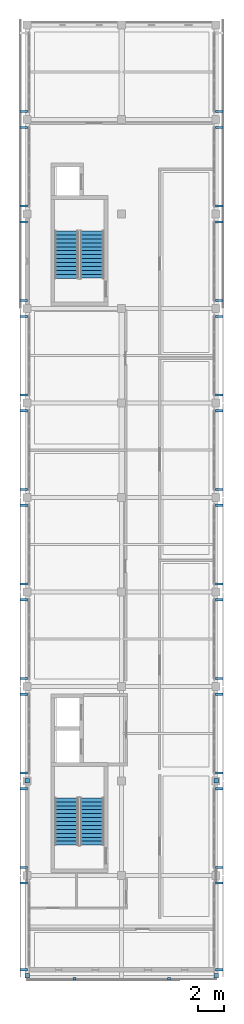
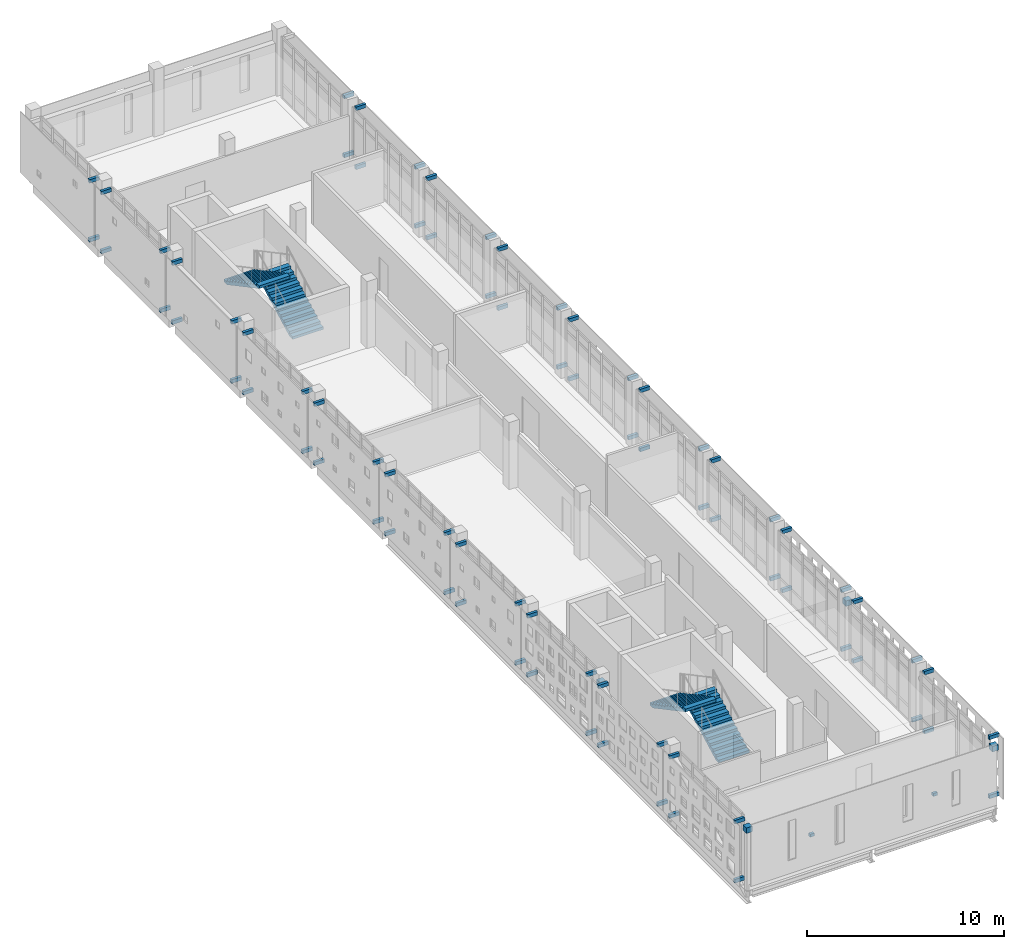
# One storey, part 17 of 21: 82 discrete accessories, 4 stair flights, 2 elements without a shape of their own.
"""IFC4 building model written with IfcOpenShell, lengths in metres."""

from ifc_helpers import new_model, si_unit, direction, frame, origin, origin_2d, place, context, subcontext, project, spatial, polyline, rectangle, outline, extrude, material, type_object, element, aggregate, save


model = new_model("IFC4")

# Units and contexts
model_context = context("Model", 3, precision=1e-05, world=origin(), true_north=direction((0.0, 1.0)))
body_context = subcontext(model_context, "Body", "Model", "MODEL_VIEW")
ifc_project = project(units=[si_unit("LENGTHUNIT", "METRE"), si_unit("AREAUNIT", "SQUARE_METRE"), si_unit("VOLUMEUNIT", "CUBIC_METRE"), si_unit("PLANEANGLEUNIT", "RADIAN"), si_unit("MASSUNIT", "GRAM", prefix="KILO")], contexts=[model_context])

# Site, building, storey
site_placement = place(None, origin())
site = spatial("IfcSite", under=ifc_project, at=site_placement, CompositionType="ELEMENT")
building_placement = place(site_placement, origin())
building = spatial("IfcBuilding", under=site, at=building_placement, Name="Valkovuoma Quantum and Materials Research Institute", CompositionType="ELEMENT")
storey_placement = place(building_placement, frame((0.0, 0.0, 33.919921875)))
storey = spatial("IfcBuildingStorey", under=building, at=storey_placement, Name="L08", CompositionType="ELEMENT", Elevation=33.919921875)

# Stair, stair flights
ifc_material_1 = material(Name="Concrete C40/50", Category="concrete")
stair_type = type_object("IfcStairType", Name="Stair-ST-COR", PredefinedType="HALF_TURN_STAIR", material=ifc_material_1)
stair_1_placement = place(storey_placement, origin())
stair_1 = element("IfcStair", 1, at=stair_1_placement, inside=storey, type_object=stair_type, Name="L08 Exit Stair ST-1", PredefinedType="HALF_TURN_STAIR")
ifc_material_2 = material(Name="Concrete C40/50", Category="concrete")
stair_flight_type = type_object("IfcStairFlightType", Name="Flight-STF-145", PredefinedType="STRAIGHT", material=ifc_material_2)
stair_flight_1_placement = place(storey_placement, frame((4.949951171875, 31.10009765625, 0.0), z_axis=(0.0, 0.0, 1.0), x_axis=(0.0, 1.0, 0.0)))
stair_flight_1 = element("IfcStairFlight", 2, at=stair_flight_1_placement, type_object=stair_flight_type, Name="ST-1 flight 1", NumberOfRisers=13, NumberOfTreads=12, PredefinedType="STRAIGHT", RiserHeight=0.16, TreadLength=0.3, context=body_context, shape_type="SweptSolid", body=[
    extrude(outline(polyline([(0.0, 0.0), (0.0, 0.159912109375), (0.300048828125, 0.159912109375), (0.300048828125, 0.320068359375), (0.60009765625, 0.320068359375), (0.60009765625, 0.47998046875), (0.89990234375, 0.47998046875), (0.89990234375, 0.639892578125), (1.199951171875, 0.639892578125), (1.199951171875, 0.800048828125), (1.5, 0.800048828125), (1.5, 0.9599609375), (1.800048828125, 0.9599609375), (1.800048828125, 1.1201171875), (2.10009765625, 1.1201171875), (2.10009765625, 1.280029296875), (2.39990234375, 1.280029296875), (2.39990234375, 1.43994140625), (2.699951171875, 1.43994140625), (2.699951171875, 1.60009765625), (3.0, 1.60009765625), (3.0, 1.760009765625), (3.300048828125, 1.760009765625), (3.300048828125, 1.919921875), (3.60009765625, 1.919921875), (3.60009765625, 2.080078125), (3.60009765625, 1.75), (0.318603515625, 0.0), (0.0, 0.0)])), frame((0.0, 0.89990234375, 0.0), z_axis=(0.0, -1.0, 0.0), x_axis=(1.0, 0.0, 0.0)), (0.0, 0.0, 1.0), 1.800048828125),
])
stair_flight_2_placement = place(storey_placement, frame((3.0, 34.699951171875, 2.080078125), z_axis=(0.0, 0.0, 1.0), x_axis=(0.0, -1.0, 0.0)))
stair_flight_2 = element("IfcStairFlight", 3, at=stair_flight_2_placement, type_object=stair_flight_type, Name="ST-1 flight 2", NumberOfRisers=13, NumberOfTreads=12, PredefinedType="STRAIGHT", RiserHeight=0.16, TreadLength=0.3, context=body_context, shape_type="SweptSolid", body=[
    extrude(outline(polyline([(0.0, 0.0), (0.0, 0.159912109375), (0.300048828125, 0.159912109375), (0.300048828125, 0.320068359375), (0.60009765625, 0.320068359375), (0.60009765625, 0.47998046875), (0.89990234375, 0.47998046875), (0.89990234375, 0.639892578125), (1.199951171875, 0.639892578125), (1.199951171875, 0.800048828125), (1.5, 0.800048828125), (1.5, 0.9599609375), (1.800048828125, 0.9599609375), (1.800048828125, 1.1201171875), (2.10009765625, 1.1201171875), (2.10009765625, 1.280029296875), (2.39990234375, 1.280029296875), (2.39990234375, 1.43994140625), (2.699951171875, 1.43994140625), (2.699951171875, 1.60009765625), (3.0, 1.60009765625), (3.0, 1.760009765625), (3.300048828125, 1.760009765625), (3.300048828125, 1.919921875), (3.60009765625, 1.919921875), (3.60009765625, 2.080078125), (3.60009765625, 1.75), (0.318603515625, 0.0), (0.0, 0.0)])), frame((0.0, 0.89990234375, 0.0), z_axis=(0.0, -1.0, 0.0), x_axis=(1.0, 0.0, 0.0)), (0.0, 0.0, 1.0), 1.800048828125),
])
aggregate(stair_1, [stair_flight_1, stair_flight_2])

stair_2_placement = place(storey_placement, origin())
stair_2 = element("IfcStair", 4, at=stair_2_placement, inside=storey, type_object=stair_type, Name="L08 Exit Stair ST-2", PredefinedType="HALF_TURN_STAIR")
stair_flight_3_placement = place(storey_placement, frame((4.949951171875, 74.300048828125, 0.0), z_axis=(0.0, 0.0, 1.0), x_axis=(0.0, 1.0, 0.0)))
stair_flight_3 = element("IfcStairFlight", 5, at=stair_flight_3_placement, type_object=stair_flight_type, Name="ST-2 flight 1", NumberOfRisers=13, NumberOfTreads=12, PredefinedType="STRAIGHT", RiserHeight=0.16, TreadLength=0.3, context=body_context, shape_type="SweptSolid", body=[
    extrude(outline(polyline([(0.0, 0.0), (0.0, 0.159912109375), (0.300048828125, 0.159912109375), (0.300048828125, 0.320068359375), (0.60009765625, 0.320068359375), (0.60009765625, 0.47998046875), (0.89990234375, 0.47998046875), (0.89990234375, 0.639892578125), (1.199951171875, 0.639892578125), (1.199951171875, 0.800048828125), (1.5, 0.800048828125), (1.5, 0.9599609375), (1.800048828125, 0.9599609375), (1.800048828125, 1.1201171875), (2.10009765625, 1.1201171875), (2.10009765625, 1.280029296875), (2.39990234375, 1.280029296875), (2.39990234375, 1.43994140625), (2.699951171875, 1.43994140625), (2.699951171875, 1.60009765625), (3.0, 1.60009765625), (3.0, 1.760009765625), (3.300048828125, 1.760009765625), (3.300048828125, 1.919921875), (3.60009765625, 1.919921875), (3.60009765625, 2.080078125), (3.60009765625, 1.75), (0.318603515625, 0.0), (0.0, 0.0)])), frame((0.0, 0.89990234375, 0.0), z_axis=(0.0, -1.0, 0.0), x_axis=(1.0, 0.0, 0.0)), (0.0, 0.0, 1.0), 1.800048828125),
])
stair_flight_4_placement = place(storey_placement, frame((3.0, 77.89990234375, 2.080078125), z_axis=(0.0, 0.0, 1.0), x_axis=(0.0, -1.0, 0.0)))
stair_flight_4 = element("IfcStairFlight", 6, at=stair_flight_4_placement, type_object=stair_flight_type, Name="ST-2 flight 2", NumberOfRisers=13, NumberOfTreads=12, PredefinedType="STRAIGHT", RiserHeight=0.16, TreadLength=0.3, context=body_context, shape_type="SweptSolid", body=[
    extrude(outline(polyline([(0.0, 0.0), (0.0, 0.159912109375), (0.300048828125, 0.159912109375), (0.300048828125, 0.320068359375), (0.60009765625, 0.320068359375), (0.60009765625, 0.47998046875), (0.89990234375, 0.47998046875), (0.89990234375, 0.639892578125), (1.199951171875, 0.639892578125), (1.199951171875, 0.800048828125), (1.5, 0.800048828125), (1.5, 0.9599609375), (1.800048828125, 0.9599609375), (1.800048828125, 1.1201171875), (2.10009765625, 1.1201171875), (2.10009765625, 1.280029296875), (2.39990234375, 1.280029296875), (2.39990234375, 1.43994140625), (2.699951171875, 1.43994140625), (2.699951171875, 1.60009765625), (3.0, 1.60009765625), (3.0, 1.760009765625), (3.300048828125, 1.760009765625), (3.300048828125, 1.919921875), (3.60009765625, 1.919921875), (3.60009765625, 2.080078125), (3.60009765625, 1.75), (0.318603515625, 0.0), (0.0, 0.0)])), frame((0.0, 0.89990234375, 0.0), z_axis=(0.0, -1.0, 0.0), x_axis=(1.0, 0.0, 0.0)), (0.0, 0.0, 1.0), 1.800048828125),
])
aggregate(stair_2, [stair_flight_3, stair_flight_4])

# Discrete accessories
ifc_material_3 = material(Name="Steel S355J2", Category="steel")
discrete_accessory_type_1 = type_object("IfcDiscreteAccessoryType", Name="Brk-BRK-01", PredefinedType="BRACKET", material=ifc_material_3)
for number, where, z_axis, x_axis, name in (
    (7, (3.60009765625, 20.919921875, 1.81494140625), (0.0, 0.0, 1.0), (0.0, 1.0, 0.0), "L08 south end skin bracket 1"),
    (8, (10.800048828125, 20.919921875, 1.81494140625), (0.0, 0.0, 1.0), (0.0, 1.0, 0.0), "L08 south end skin bracket 2"),
):
    element("IfcDiscreteAccessory", number, at=place(storey_placement, frame(where, z_axis=z_axis, x_axis=x_axis)), inside=storey, type_object=discrete_accessory_type_1, Name=name, PredefinedType="BRACKET", context=body_context, shape_type="SweptSolid", body=[
        extrude(rectangle(XDim=0.159912109375, YDim=0.239990234375, at=origin_2d()), origin(), (0.0, 0.0, 1.0), 0.179931640625),
    ])
for number, where, z_axis, x_axis, name in (
    (9, (-0.25, 21.60009765625, -0.02978515625), (0.0, 0.0, 1.0), (1.0, 0.0, 0.0), "L08 screen bracket 00461"),
    (10, (-0.25, 28.199951171875, -0.02978515625), (0.0, 0.0, 1.0), (1.0, 0.0, 0.0), "L08 screen bracket 00462"),
    (11, (-0.25, 21.60009765625, 3.6201171875), (0.0, 0.0, 1.0), (1.0, 0.0, 0.0), "L08 screen bracket 00463"),
    (12, (-0.25, 28.199951171875, 3.6201171875), (0.0, 0.0, 1.0), (1.0, 0.0, 0.0), "L08 screen bracket 00464"),
    (13, (14.64990234375, 21.60009765625, -0.02978515625), (0.0, 0.0, 1.0), (1.0, 0.0, 0.0), "L08 screen bracket 00465"),
    (14, (14.64990234375, 28.199951171875, -0.02978515625), (0.0, 0.0, 1.0), (1.0, 0.0, 0.0), "L08 screen bracket 00466"),
    (15, (14.64990234375, 21.60009765625, 3.6201171875), (0.0, 0.0, 1.0), (1.0, 0.0, 0.0), "L08 screen bracket 00467"),
    (16, (14.64990234375, 28.199951171875, 3.6201171875), (0.0, 0.0, 1.0), (1.0, 0.0, 0.0), "L08 screen bracket 00468"),
    (17, (-0.25, 29.39990234375, -0.02978515625), (0.0, 0.0, 1.0), (1.0, 0.0, 0.0), "L08 screen bracket 00469"),
    (18, (-0.25, 35.39990234375, -0.02978515625), (0.0, 0.0, 1.0), (1.0, 0.0, 0.0), "L08 screen bracket 00470"),
    (19, (-0.25, 29.39990234375, 3.6201171875), (0.0, 0.0, 1.0), (1.0, 0.0, 0.0), "L08 screen bracket 00471"),
    (20, (-0.25, 35.39990234375, 3.6201171875), (0.0, 0.0, 1.0), (1.0, 0.0, 0.0), "L08 screen bracket 00472"),
    (21, (14.64990234375, 29.39990234375, -0.02978515625), (0.0, 0.0, 1.0), (1.0, 0.0, 0.0), "L08 screen bracket 00473"),
    (22, (14.64990234375, 35.39990234375, -0.02978515625), (0.0, 0.0, 1.0), (1.0, 0.0, 0.0), "L08 screen bracket 00474"),
    (23, (14.64990234375, 29.39990234375, 3.6201171875), (0.0, 0.0, 1.0), (1.0, 0.0, 0.0), "L08 screen bracket 00475"),
    (24, (14.64990234375, 35.39990234375, 3.6201171875), (0.0, 0.0, 1.0), (1.0, 0.0, 0.0), "L08 screen bracket 00476"),
    (25, (-0.25, 36.60009765625, -0.02978515625), (0.0, 0.0, 1.0), (1.0, 0.0, 0.0), "L08 screen bracket 00477"),
    (26, (-0.25, 42.60009765625, -0.02978515625), (0.0, 0.0, 1.0), (1.0, 0.0, 0.0), "L08 screen bracket 00478"),
    (27, (-0.25, 36.60009765625, 3.6201171875), (0.0, 0.0, 1.0), (1.0, 0.0, 0.0), "L08 screen bracket 00479"),
    (28, (-0.25, 42.60009765625, 3.6201171875), (0.0, 0.0, 1.0), (1.0, 0.0, 0.0), "L08 screen bracket 00480"),
    (29, (14.64990234375, 36.60009765625, -0.02978515625), (0.0, 0.0, 1.0), (1.0, 0.0, 0.0), "L08 screen bracket 00481"),
    (30, (14.64990234375, 42.60009765625, -0.02978515625), (0.0, 0.0, 1.0), (1.0, 0.0, 0.0), "L08 screen bracket 00482"),
    (31, (14.64990234375, 36.60009765625, 3.6201171875), (0.0, 0.0, 1.0), (1.0, 0.0, 0.0), "L08 screen bracket 00483"),
    (32, (14.64990234375, 42.60009765625, 3.6201171875), (0.0, 0.0, 1.0), (1.0, 0.0, 0.0), "L08 screen bracket 00484"),
    (33, (-0.25, 43.800048828125, -0.02978515625), (0.0, 0.0, 1.0), (1.0, 0.0, 0.0), "L08 screen bracket 00485"),
    (34, (-0.25, 49.800048828125, -0.02978515625), (0.0, 0.0, 1.0), (1.0, 0.0, 0.0), "L08 screen bracket 00486"),
    (35, (-0.25, 43.800048828125, 3.6201171875), (0.0, 0.0, 1.0), (1.0, 0.0, 0.0), "L08 screen bracket 00487"),
    (36, (-0.25, 49.800048828125, 3.6201171875), (0.0, 0.0, 1.0), (1.0, 0.0, 0.0), "L08 screen bracket 00488"),
    (37, (14.64990234375, 43.800048828125, -0.02978515625), (0.0, 0.0, 1.0), (1.0, 0.0, 0.0), "L08 screen bracket 00489"),
    (38, (14.64990234375, 49.800048828125, -0.02978515625), (0.0, 0.0, 1.0), (1.0, 0.0, 0.0), "L08 screen bracket 00490"),
    (39, (14.64990234375, 43.800048828125, 3.6201171875), (0.0, 0.0, 1.0), (1.0, 0.0, 0.0), "L08 screen bracket 00491"),
    (40, (14.64990234375, 49.800048828125, 3.6201171875), (0.0, 0.0, 1.0), (1.0, 0.0, 0.0), "L08 screen bracket 00492"),
    (41, (-0.25, 51.0, -0.02978515625), (0.0, 0.0, 1.0), (1.0, 0.0, 0.0), "L08 screen bracket 00493"),
    (42, (-0.25, 57.0, -0.02978515625), (0.0, 0.0, 1.0), (1.0, 0.0, 0.0), "L08 screen bracket 00494"),
    (43, (-0.25, 51.0, 3.6201171875), (0.0, 0.0, 1.0), (1.0, 0.0, 0.0), "L08 screen bracket 00495"),
    (44, (-0.25, 57.0, 3.6201171875), (0.0, 0.0, 1.0), (1.0, 0.0, 0.0), "L08 screen bracket 00496"),
    (45, (14.64990234375, 51.0, -0.02978515625), (0.0, 0.0, 1.0), (1.0, 0.0, 0.0), "L08 screen bracket 00497"),
    (46, (14.64990234375, 57.0, -0.02978515625), (0.0, 0.0, 1.0), (1.0, 0.0, 0.0), "L08 screen bracket 00498"),
    (47, (14.64990234375, 51.0, 3.6201171875), (0.0, 0.0, 1.0), (1.0, 0.0, 0.0), "L08 screen bracket 00499"),
    (48, (14.64990234375, 57.0, 3.6201171875), (0.0, 0.0, 1.0), (1.0, 0.0, 0.0), "L08 screen bracket 00500"),
    (49, (-0.25, 58.199951171875, -0.02978515625), (0.0, 0.0, 1.0), (1.0, 0.0, 0.0), "L08 screen bracket 00501"),
    (50, (-0.25, 64.199951171875, -0.02978515625), (0.0, 0.0, 1.0), (1.0, 0.0, 0.0), "L08 screen bracket 00502"),
    (51, (-0.25, 58.199951171875, 3.6201171875), (0.0, 0.0, 1.0), (1.0, 0.0, 0.0), "L08 screen bracket 00503"),
    (52, (-0.25, 64.199951171875, 3.6201171875), (0.0, 0.0, 1.0), (1.0, 0.0, 0.0), "L08 screen bracket 00504"),
    (53, (14.64990234375, 58.199951171875, -0.02978515625), (0.0, 0.0, 1.0), (1.0, 0.0, 0.0), "L08 screen bracket 00505"),
    (54, (14.64990234375, 64.199951171875, -0.02978515625), (0.0, 0.0, 1.0), (1.0, 0.0, 0.0), "L08 screen bracket 00506"),
    (55, (14.64990234375, 58.199951171875, 3.6201171875), (0.0, 0.0, 1.0), (1.0, 0.0, 0.0), "L08 screen bracket 00507"),
    (56, (14.64990234375, 64.199951171875, 3.6201171875), (0.0, 0.0, 1.0), (1.0, 0.0, 0.0), "L08 screen bracket 00508"),
    (57, (-0.25, 65.39990234375, -0.02978515625), (0.0, 0.0, 1.0), (1.0, 0.0, 0.0), "L08 screen bracket 00509"),
    (58, (-0.25, 71.39990234375, -0.02978515625), (0.0, 0.0, 1.0), (1.0, 0.0, 0.0), "L08 screen bracket 00510"),
    (59, (-0.25, 65.39990234375, 3.6201171875), (0.0, 0.0, 1.0), (1.0, 0.0, 0.0), "L08 screen bracket 00511"),
    (60, (-0.25, 71.39990234375, 3.6201171875), (0.0, 0.0, 1.0), (1.0, 0.0, 0.0), "L08 screen bracket 00512"),
    (61, (14.64990234375, 65.39990234375, -0.02978515625), (0.0, 0.0, 1.0), (1.0, 0.0, 0.0), "L08 screen bracket 00513"),
    (62, (14.64990234375, 71.39990234375, -0.02978515625), (0.0, 0.0, 1.0), (1.0, 0.0, 0.0), "L08 screen bracket 00514"),
    (63, (14.64990234375, 65.39990234375, 3.6201171875), (0.0, 0.0, 1.0), (1.0, 0.0, 0.0), "L08 screen bracket 00515"),
    (64, (14.64990234375, 71.39990234375, 3.6201171875), (0.0, 0.0, 1.0), (1.0, 0.0, 0.0), "L08 screen bracket 00516"),
    (65, (-0.25, 72.60009765625, -0.02978515625), (0.0, 0.0, 1.0), (1.0, 0.0, 0.0), "L08 screen bracket 00517"),
    (66, (-0.25, 78.60009765625, -0.02978515625), (0.0, 0.0, 1.0), (1.0, 0.0, 0.0), "L08 screen bracket 00518"),
    (67, (-0.25, 72.60009765625, 3.6201171875), (0.0, 0.0, 1.0), (1.0, 0.0, 0.0), "L08 screen bracket 00519"),
    (68, (-0.25, 78.60009765625, 3.6201171875), (0.0, 0.0, 1.0), (1.0, 0.0, 0.0), "L08 screen bracket 00520"),
    (69, (14.64990234375, 72.60009765625, -0.02978515625), (0.0, 0.0, 1.0), (1.0, 0.0, 0.0), "L08 screen bracket 00521"),
    (70, (14.64990234375, 78.60009765625, -0.02978515625), (0.0, 0.0, 1.0), (1.0, 0.0, 0.0), "L08 screen bracket 00522"),
    (71, (14.64990234375, 72.60009765625, 3.6201171875), (0.0, 0.0, 1.0), (1.0, 0.0, 0.0), "L08 screen bracket 00523"),
    (72, (14.64990234375, 78.60009765625, 3.6201171875), (0.0, 0.0, 1.0), (1.0, 0.0, 0.0), "L08 screen bracket 00524"),
    (73, (-0.25, 79.800048828125, -0.02978515625), (0.0, 0.0, 1.0), (1.0, 0.0, 0.0), "L08 screen bracket 00525"),
    (74, (-0.25, 85.800048828125, -0.02978515625), (0.0, 0.0, 1.0), (1.0, 0.0, 0.0), "L08 screen bracket 00526"),
    (75, (-0.25, 79.800048828125, 3.6201171875), (0.0, 0.0, 1.0), (1.0, 0.0, 0.0), "L08 screen bracket 00527"),
    (76, (-0.25, 85.800048828125, 3.6201171875), (0.0, 0.0, 1.0), (1.0, 0.0, 0.0), "L08 screen bracket 00528"),
    (77, (14.64990234375, 79.800048828125, -0.02978515625), (0.0, 0.0, 1.0), (1.0, 0.0, 0.0), "L08 screen bracket 00529"),
    (78, (14.64990234375, 85.800048828125, -0.02978515625), (0.0, 0.0, 1.0), (1.0, 0.0, 0.0), "L08 screen bracket 00530"),
    (79, (14.64990234375, 79.800048828125, 3.6201171875), (0.0, 0.0, 1.0), (1.0, 0.0, 0.0), "L08 screen bracket 00531"),
    (80, (14.64990234375, 85.800048828125, 3.6201171875), (0.0, 0.0, 1.0), (1.0, 0.0, 0.0), "L08 screen bracket 00532"),
    (81, (-0.25, 87.0, -0.02978515625), (0.0, 0.0, 1.0), (1.0, 0.0, 0.0), "L08 screen bracket 00533"),
    (82, (-0.25, 87.0, 3.6201171875), (0.0, 0.0, 1.0), (1.0, 0.0, 0.0), "L08 screen bracket 00535"),
    (83, (14.64990234375, 87.0, -0.02978515625), (0.0, 0.0, 1.0), (1.0, 0.0, 0.0), "L08 screen bracket 00537"),
    (84, (14.64990234375, 87.0, 3.6201171875), (0.0, 0.0, 1.0), (1.0, 0.0, 0.0), "L08 screen bracket 00539"),
):
    element("IfcDiscreteAccessory", number, at=place(storey_placement, frame(where, z_axis=z_axis, x_axis=x_axis)), inside=storey, type_object=discrete_accessory_type_1, Name=name, PredefinedType="BRACKET", context=body_context, shape_type="SweptSolid", body=[
        extrude(rectangle(XDim=0.580078125, YDim=0.159912109375, at=origin_2d()), origin(), (0.0, 0.0, 1.0), 0.219970703125),
    ])
ifc_material_4 = material(Name="Steel S355J2", Category="steel")
discrete_accessory_type_2 = type_object("IfcDiscreteAccessoryType", Name="Conn-END-01", PredefinedType="BRACKET", material=ifc_material_4)
for number, where, z_axis, x_axis, name in (
    (85, (0.0, 21.14990234375, 3.240234375), (0.0, 0.0, 1.0), (1.0, 0.0, 0.0), "L08 brace end connection assembly 0035"),
    (86, (0.0, 36.0, 3.240234375), (0.0, 0.0, 1.0), (1.0, 0.0, 0.0), "L08 brace end connection assembly 0036"),
    (87, (14.39990234375, 21.14990234375, 3.240234375), (0.0, 0.0, 1.0), (1.0, 0.0, 0.0), "L08 brace end connection assembly 0037"),
    (88, (14.39990234375, 36.0, 3.240234375), (0.0, 0.0, 1.0), (1.0, 0.0, 0.0), "L08 brace end connection assembly 0038"),
):
    element("IfcDiscreteAccessory", number, at=place(storey_placement, frame(where, z_axis=z_axis, x_axis=x_axis)), inside=storey, type_object=discrete_accessory_type_2, Name=name, PredefinedType="BRACKET", context=body_context, shape_type="SweptSolid", body=[
        extrude(rectangle(XDim=0.340087890625, YDim=0.340087890625, at=origin_2d()), origin(), (0.0, 0.0, 1.0), 0.340087890625),
    ])

save(model, "model.ifc")
